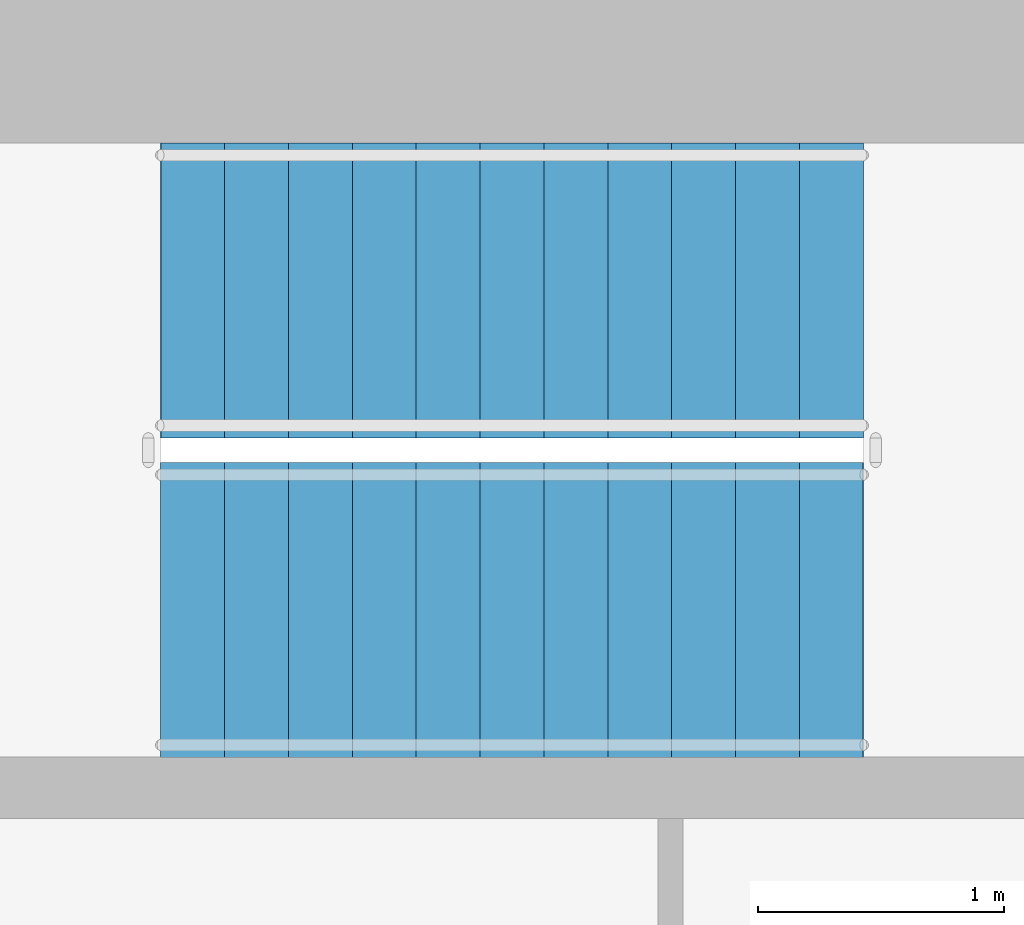
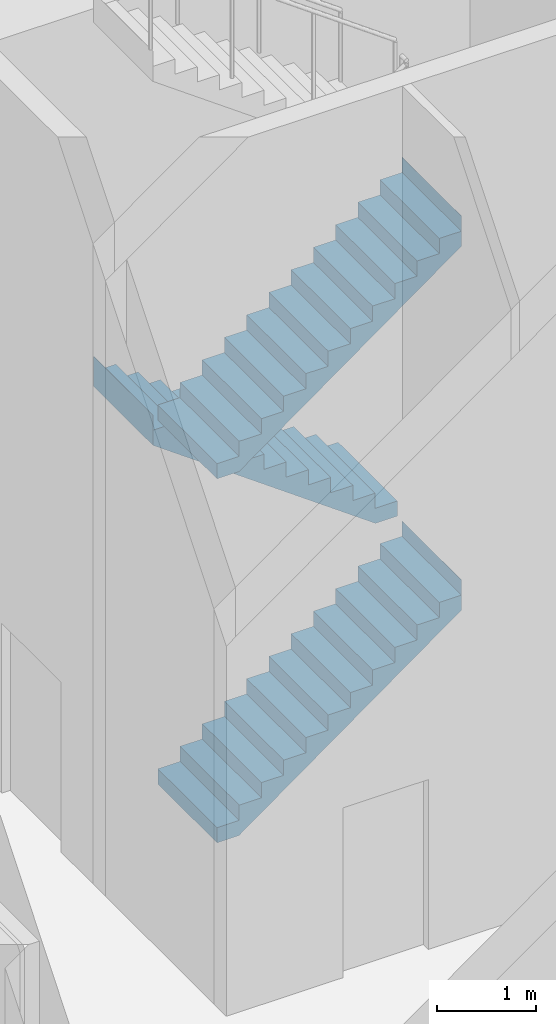
# One storey, part 19 of 35: 3 stair flights, 1 element without a shape of its own.
"""IFC4 building model written with IfcOpenShell, lengths in metres."""

import ifcopenshell
import ifcopenshell.guid

model = None  # the IFC model being written
_history = None  # IfcOwnerHistory: only IFC2X3 demands one
_inside = {}  # id of a spatial element -> (the spatial element, [elements in it])
_under = {}  # id of a project, library or spatial element -> (it, [spatial elements below it])
_declared = {}  # id of a project -> (the project, [libraries it declares])
_typed = {}  # id of a type object -> (the type object, [elements of that type])
_made_of = {}  # id of a material, layer set ... -> (it, [elements and type objects made of it])


def new_model(schema):
    """Start an empty IFC model of exactly this schema.

    Asked for "IFC4X3", IfcOpenShell would pick the latest addendum, in which some entities
    have other attributes; the version numbers below select the first issue.
    IFC2X3 requires an IfcOwnerHistory on every rooted entity: one is made here for all.
    """
    global model, _history
    if schema == "IFC4X3":
        model = ifcopenshell.file(schema_version=(4, 3, 0, 0))
    else:
        model = ifcopenshell.file(schema=schema)
    _inside.clear()
    _under.clear()
    _declared.clear()
    _typed.clear()
    _made_of.clear()
    _history = None
    if model.schema == "IFC2X3":
        org = make("IfcOrganization", Name="unknown")
        user = make(
            "IfcPersonAndOrganization",
            ThePerson=make("IfcPerson", FamilyName="unknown"),
            TheOrganization=org,
        )
        app = make(
            "IfcApplication",
            ApplicationDeveloper=org,
            Version="unknown",
            ApplicationFullName="unknown",
            ApplicationIdentifier="unknown",
        )
        _history = make(
            "IfcOwnerHistory",
            OwningUser=user,
            OwningApplication=app,
            ChangeAction="ADDED",
            CreationDate=0,
        )
    return model


def make(cls, **values):
    """One entity of the class cls with the attributes given. An attribute that is None is left unset."""
    return model.create_entity(
        cls, **{name: value for name, value in values.items() if value is not None}
    )


def rooted(cls, **values):
    """An entity with a GlobalId (a new one), such as an element, a storey or a relation."""
    return make(cls, GlobalId=ifcopenshell.guid.new(), OwnerHistory=_history, **values)


def si_unit(unit_type, name, prefix=None):
    """IfcSIUnit, for example si_unit("LENGTHUNIT", "METRE", prefix="MILLI")."""
    return make("IfcSIUnit", UnitType=unit_type, Prefix=prefix, Name=name)


def assignment(units):
    """IfcUnitAssignment: the units of a project."""
    return None if units is None else make("IfcUnitAssignment", Units=units)


def point(xyz):
    """IfcCartesianPoint."""
    return None if xyz is None else make("IfcCartesianPoint", Coordinates=xyz)


def direction(xyz):
    """IfcDirection."""
    return None if xyz is None else make("IfcDirection", DirectionRatios=xyz)


def frame(location, z_axis=None, x_axis=None):
    """IfcAxis2Placement3D, a coordinate frame: its origin and axes. An axis left out is left unset."""
    return make(
        "IfcAxis2Placement3D",
        Location=point(location),
        Axis=direction(z_axis),
        RefDirection=direction(x_axis),
    )


def origin():
    """The frame at (0, 0, 0) with its axes left unset."""
    return frame((0.0, 0.0, 0.0))


def place(relative_to, where):
    """IfcLocalPlacement: puts the frame where relative to a parent placement (None: the world)."""
    return make(
        "IfcLocalPlacement", PlacementRelTo=relative_to, RelativePlacement=where
    )


def context(
    kind, dimensions, precision=None, world=None, true_north=None, identifier=None
):
    """IfcGeometricRepresentationContext, for example the 3D "Model" context."""
    return make(
        "IfcGeometricRepresentationContext",
        ContextIdentifier=identifier,
        ContextType=kind,
        CoordinateSpaceDimension=dimensions,
        Precision=precision,
        WorldCoordinateSystem=world,
        TrueNorth=true_north,
    )


def subcontext(parent, identifier, kind, view, scale=None):
    """IfcGeometricRepresentationSubContext, for example "Body" below "Model"."""
    return make(
        "IfcGeometricRepresentationSubContext",
        ContextIdentifier=identifier,
        ContextType=kind,
        ParentContext=parent,
        TargetScale=scale,
        TargetView=view,
    )


def project(units=None, contexts=None):
    """IfcProject with its units and contexts."""
    return rooted(
        "IfcProject",
        Name="project",
        RepresentationContexts=contexts,
        UnitsInContext=assignment(units),
    )


def spatial(cls, under=None, at=None, **own):
    """A site, building, storey or space (cls), placed at a placement, below another one or the project."""
    s = rooted(cls, ObjectPlacement=at, **own)
    if under is not None:
        _under.setdefault(under.id(), (under, []))[1].append(s)
    return s


def point_list(points):
    """IfcCartesianPointList2D or 3D."""
    cls = (
        "IfcCartesianPointList2D" if len(points[0]) == 2 else "IfcCartesianPointList3D"
    )
    return make(cls, CoordList=points)


def triangles(points, corners, closed=None, point_numbers=None):
    """IfcTriangulatedFaceSet: each triangle names its three corners, points numbered from 1."""
    return make(
        "IfcTriangulatedFaceSet",
        Coordinates=point_list(points),
        Closed=closed,
        CoordIndex=corners,
        PnIndex=point_numbers,
    )


def shape(context_of_items, identifier, shape_type, items):
    """IfcShapeRepresentation: the items that make up one representation, for example the "Body"."""
    return make(
        "IfcShapeRepresentation",
        ContextOfItems=context_of_items,
        RepresentationIdentifier=identifier,
        RepresentationType=shape_type,
        Items=items,
    )


def material(Name=None, Category=None):
    """IfcMaterial."""
    return make("IfcMaterial", Name=Name, Category=Category)


def made_of(thing, what):
    """Note that an element or type object is made of a material, layer set ...; save() writes the relation."""
    if what is not None:
        _made_of.setdefault(what.id(), (what, []))[1].append(thing)
    return thing


def type_object(cls, material=None, **own):
    """A type object (cls), such as IfcWallType, which elements share."""
    return made_of(rooted(cls, **own), material)


def element(
    cls,
    number,
    at=None,
    inside=None,
    cuts=None,
    type_object=None,
    material=None,
    context=None,
    identifier="Body",
    shape_type=None,
    held_by="IfcProductDefinitionShape",
    body=None,
    shapes=None,
    **own,
):
    """One element of the class cls, such as IfcWall. Its Tag is "e" and its number.

    at: its placement. inside: the storey or other place that contains it. cuts: it is an
    opening in that element (IfcRelVoidsElement). A single representation is given by context,
    identifier, shape_type and body (its items); several are given by shapes. held_by: the class
    of the entity that holds the representations. save() writes the other relations.
    """
    e = rooted(cls, Tag="e%d" % number, ObjectPlacement=at, **own)
    if body is not None:
        shapes = [shape(context, identifier, shape_type, body)]
    if shapes is not None:
        e.Representation = make(held_by, Representations=shapes)
    if inside is not None:
        _inside.setdefault(inside.id(), (inside, []))[1].append(e)
    if cuts is not None:
        rooted(
            "IfcRelVoidsElement", RelatingBuildingElement=cuts, RelatedOpeningElement=e
        )
    if type_object is not None:
        _typed.setdefault(type_object.id(), (type_object, []))[1].append(e)
    return made_of(e, material)


def aggregate(whole, parts):
    """IfcRelAggregates: a whole, such as a stair, and the parts it consists of."""
    return rooted("IfcRelAggregates", RelatingObject=whole, RelatedObjects=parts)


def save(model, path):
    """Write the relations noted so far, then the file.

    IfcRelAggregates (storeys below a building ...), IfcRelContainedInSpatialStructure (elements
    in a storey), IfcRelDefinesByType, IfcRelAssociatesMaterial and IfcRelDeclares: one each for
    every whole, place, type object, material and project.
    """
    for whole, parts in _under.values():
        aggregate(whole, parts)
    for where, things in _inside.values():
        rooted(
            "IfcRelContainedInSpatialStructure",
            RelatedElements=things,
            RelatingStructure=where,
        )
    for kind, things in _typed.values():
        rooted("IfcRelDefinesByType", RelatedObjects=things, RelatingType=kind)
    for what, things in _made_of.values():
        rooted("IfcRelAssociatesMaterial", RelatedObjects=things, RelatingMaterial=what)
    for by, libraries in _declared.values():
        rooted("IfcRelDeclares", RelatingContext=by, RelatedDefinitions=libraries)
    model.write(path)


model = new_model("IFC4")

# Units and contexts
model_context = context("Model", 3, precision=1e-05, world=origin(), true_north=direction((0.0, 1.0)))
body_context = subcontext(model_context, "Body", "Model", "MODEL_VIEW")
ifc_project = project(units=[si_unit("LENGTHUNIT", "METRE"), si_unit("AREAUNIT", "SQUARE_METRE"), si_unit("VOLUMEUNIT", "CUBIC_METRE"), si_unit("PLANEANGLEUNIT", "RADIAN"), si_unit("MASSUNIT", "GRAM", prefix="KILO")], contexts=[model_context])

# Site, building, storey
site_placement = place(None, origin())
site = spatial("IfcSite", under=ifc_project, at=site_placement, CompositionType="ELEMENT")
building_placement = place(site_placement, origin())
building = spatial("IfcBuilding", under=site, at=building_placement, Name="Sahrelin Media Tower", CompositionType="ELEMENT")
storey_placement = place(building_placement, frame((0.0, 0.0, 8.0)))
storey = spatial("IfcBuildingStorey", under=building, at=storey_placement, Name="L01", CompositionType="ELEMENT", Elevation=8.0)

# Stair, stair flights
ifc_material = material(Name="Concrete C40/50", Category="concrete")
stair_type = type_object("IfcStairType", Name="Exit stair 1200", PredefinedType="HALF_TURN_STAIR", material=ifc_material)
stair_placement = place(storey_placement, origin())
stair = element("IfcStair", 1, at=stair_placement, inside=storey, type_object=stair_type, Name="L01 Exit stair ST1", PredefinedType="HALF_TURN_STAIR")
stair_flight_type = type_object("IfcStairFlightType", Name="Stair flight 1200", PredefinedType="STRAIGHT", material=ifc_material)
stair_flight_1_placement = place(storey_placement, frame((-7.675048828125, 4.699951171875, 0.0), z_axis=(0.0, 0.0, 1.0), x_axis=(1.0, 0.0, 0.0)))
stair_flight_1 = element("IfcStairFlight", 2, at=stair_flight_1_placement, type_object=stair_flight_type, Name="ST1 flight 1", NumberOfRisers=12, NumberOfTreads=11, PredefinedType="STRAIGHT", RiserHeight=0.1875, TreadLength=0.26, context=body_context, shape_type="Tessellation", body=[
    triangles([(0.25634765625, 0.60009765625, 0.0), (0.25634765625, 0.300048828125, 0.0), (0.25634765625, 0.0, 0.0), (0.25634765625, -0.300048828125, 0.0), (0.25634765625, -0.60009765625, 0.0), (2.860107421875, 0.60009765625, 1.877685546875), (2.860107421875, 0.300048828125, 1.877685546875), (2.860107421875, 0.0, 1.877685546875), (2.860107421875, -0.300048828125, 1.877685546875), (2.860107421875, -0.60009765625, 1.877685546875), (2.860107421875, 0.60009765625, 2.25), (2.860107421875, 0.300048828125, 2.25), (2.860107421875, 0.0, 2.25), (2.860107421875, -0.300048828125, 2.25), (2.860107421875, -0.60009765625, 2.25), (2.85791015625, 0.60009765625, 2.25), (2.85791015625, 0.300048828125, 2.25), (2.85791015625, 0.0, 2.25), (2.85791015625, -0.300048828125, 2.25), (2.85791015625, -0.60009765625, 2.25), (2.85791015625, 0.60009765625, 2.0625), (2.85791015625, 0.300048828125, 2.0625), (2.85791015625, 0.0, 2.0625), (2.85791015625, -0.300048828125, 2.0625), (2.85791015625, -0.60009765625, 2.0625), (2.60009765625, 0.60009765625, 2.0625), (2.60009765625, 0.300048828125, 2.0625), (2.60009765625, 0.0, 2.0625), (2.60009765625, -0.300048828125, 2.0625), (2.60009765625, -0.60009765625, 2.0625), (2.60009765625, 0.60009765625, 1.875), (2.60009765625, 0.300048828125, 1.875), (2.60009765625, 0.0, 1.875), (2.60009765625, -0.300048828125, 1.875), (2.60009765625, -0.60009765625, 1.875), (2.340087890625, 0.60009765625, 1.875), (2.340087890625, 0.300048828125, 1.875), (2.340087890625, 0.0, 1.875), (2.340087890625, -0.300048828125, 1.875), (2.340087890625, -0.60009765625, 1.875), (2.340087890625, 0.60009765625, 1.6875), (2.340087890625, 0.300048828125, 1.6875), (2.340087890625, 0.0, 1.6875), (2.340087890625, -0.300048828125, 1.6875), (2.340087890625, -0.60009765625, 1.6875), (2.080078125, 0.60009765625, 1.6875), (2.080078125, 0.300048828125, 1.6875), (2.080078125, 0.0, 1.6875), (2.080078125, -0.300048828125, 1.6875), (2.080078125, -0.60009765625, 1.6875), (2.080078125, 0.60009765625, 1.5), (2.080078125, 0.300048828125, 1.5), (2.080078125, 0.0, 1.5), (2.080078125, -0.300048828125, 1.5), (2.080078125, -0.60009765625, 1.5), (1.820068359375, 0.60009765625, 1.5), (1.820068359375, 0.300048828125, 1.5), (1.820068359375, 0.0, 1.5), (1.820068359375, -0.300048828125, 1.5), (1.820068359375, -0.60009765625, 1.5), (1.820068359375, 0.60009765625, 1.3125), (1.820068359375, 0.300048828125, 1.3125), (1.820068359375, 0.0, 1.3125), (1.820068359375, -0.300048828125, 1.3125), (1.820068359375, -0.60009765625, 1.3125), (1.56005859375, 0.60009765625, 1.3125), (1.56005859375, 0.300048828125, 1.3125), (1.56005859375, 0.0, 1.3125), (1.56005859375, -0.300048828125, 1.3125), (1.56005859375, -0.60009765625, 1.3125), (1.56005859375, 0.60009765625, 1.125), (1.56005859375, 0.300048828125, 1.125), (1.56005859375, 0.0, 1.125), (1.56005859375, -0.300048828125, 1.125), (1.56005859375, -0.60009765625, 1.125), (1.300048828125, 0.60009765625, 1.125), (1.300048828125, 0.300048828125, 1.125), (1.300048828125, 0.0, 1.125), (1.300048828125, -0.300048828125, 1.125), (1.300048828125, -0.60009765625, 1.125), (1.300048828125, 0.60009765625, 0.9375), (1.300048828125, 0.300048828125, 0.9375), (1.300048828125, 0.0, 0.9375), (1.300048828125, -0.300048828125, 0.9375), (1.300048828125, -0.60009765625, 0.9375), (1.0400390625, 0.60009765625, 0.9375), (1.0400390625, 0.300048828125, 0.9375), (1.0400390625, 0.0, 0.9375), (1.0400390625, -0.300048828125, 0.9375), (1.0400390625, -0.60009765625, 0.9375), (1.0400390625, 0.60009765625, 0.75), (1.0400390625, 0.300048828125, 0.75), (1.0400390625, 0.0, 0.75), (1.0400390625, -0.300048828125, 0.75), (1.0400390625, -0.60009765625, 0.75), (0.780029296875, 0.60009765625, 0.75), (0.780029296875, 0.300048828125, 0.75), (0.780029296875, 0.0, 0.75), (0.780029296875, -0.300048828125, 0.75), (0.780029296875, -0.60009765625, 0.75), (0.780029296875, 0.60009765625, 0.5625), (0.780029296875, 0.300048828125, 0.5625), (0.780029296875, 0.0, 0.5625), (0.780029296875, -0.300048828125, 0.5625), (0.780029296875, -0.60009765625, 0.5625), (0.52001953125, 0.60009765625, 0.5625), (0.52001953125, 0.300048828125, 0.5625), (0.52001953125, 0.0, 0.5625), (0.52001953125, -0.300048828125, 0.5625), (0.52001953125, -0.60009765625, 0.5625), (0.52001953125, 0.60009765625, 0.375), (0.52001953125, 0.300048828125, 0.375), (0.52001953125, 0.0, 0.375), (0.52001953125, -0.300048828125, 0.375), (0.52001953125, -0.60009765625, 0.375), (0.260009765625, 0.60009765625, 0.375), (0.260009765625, 0.300048828125, 0.375), (0.260009765625, 0.0, 0.375), (0.260009765625, -0.300048828125, 0.375), (0.260009765625, -0.60009765625, 0.375), (0.260009765625, 0.60009765625, 0.1875), (0.260009765625, 0.300048828125, 0.1875), (0.260009765625, 0.0, 0.1875), (0.260009765625, -0.300048828125, 0.1875), (0.260009765625, -0.60009765625, 0.1875), (0.0, 0.60009765625, 0.1875), (0.0, 0.300048828125, 0.1875), (0.0, 0.0, 0.1875), (0.0, -0.300048828125, 0.1875), (0.0, -0.60009765625, 0.1875), (0.0, 0.60009765625, 0.0), (0.0, 0.300048828125, 0.0), (0.0, 0.0, 0.0), (0.0, -0.300048828125, 0.0), (0.0, -0.60009765625, 0.0)], [[1, 6, 7], [1, 7, 2], [2, 7, 8], [2, 8, 3], [3, 8, 9], [3, 9, 4], [4, 9, 10], [4, 10, 5], [6, 11, 12], [6, 12, 7], [7, 12, 13], [7, 13, 8], [8, 13, 14], [8, 14, 9], [9, 14, 15], [9, 15, 10], [11, 16, 17], [11, 17, 12], [12, 17, 18], [12, 18, 13], [13, 18, 19], [13, 19, 14], [14, 19, 20], [14, 20, 15], [16, 21, 22], [16, 22, 17], [17, 22, 23], [17, 23, 18], [18, 23, 24], [18, 24, 19], [19, 24, 25], [19, 25, 20], [21, 26, 27], [21, 27, 22], [22, 27, 28], [22, 28, 23], [23, 28, 29], [23, 29, 24], [24, 29, 30], [24, 30, 25], [26, 31, 32], [26, 32, 27], [27, 32, 33], [27, 33, 28], [28, 33, 34], [28, 34, 29], [29, 34, 35], [29, 35, 30], [31, 36, 37], [31, 37, 32], [32, 37, 38], [32, 38, 33], [33, 38, 39], [33, 39, 34], [34, 39, 40], [34, 40, 35], [36, 41, 42], [36, 42, 37], [37, 42, 43], [37, 43, 38], [38, 43, 44], [38, 44, 39], [39, 44, 45], [39, 45, 40], [41, 46, 47], [41, 47, 42], [42, 47, 48], [42, 48, 43], [43, 48, 49], [43, 49, 44], [44, 49, 50], [44, 50, 45], [46, 51, 52], [46, 52, 47], [47, 52, 53], [47, 53, 48], [48, 53, 54], [48, 54, 49], [49, 54, 55], [49, 55, 50], [51, 56, 57], [51, 57, 52], [52, 57, 58], [52, 58, 53], [53, 58, 59], [53, 59, 54], [54, 59, 60], [54, 60, 55], [56, 61, 62], [56, 62, 57], [57, 62, 63], [57, 63, 58], [58, 63, 64], [58, 64, 59], [59, 64, 65], [59, 65, 60], [61, 66, 67], [61, 67, 62], [62, 67, 68], [62, 68, 63], [63, 68, 69], [63, 69, 64], [64, 69, 70], [64, 70, 65], [66, 71, 72], [66, 72, 67], [67, 72, 73], [67, 73, 68], [68, 73, 74], [68, 74, 69], [69, 74, 75], [69, 75, 70], [71, 76, 77], [71, 77, 72], [72, 77, 78], [72, 78, 73], [73, 78, 79], [73, 79, 74], [74, 79, 80], [74, 80, 75], [76, 81, 82], [76, 82, 77], [77, 82, 83], [77, 83, 78], [78, 83, 84], [78, 84, 79], [79, 84, 85], [79, 85, 80], [81, 86, 87], [81, 87, 82], [82, 87, 88], [82, 88, 83], [83, 88, 89], [83, 89, 84], [84, 89, 90], [84, 90, 85], [86, 91, 92], [86, 92, 87], [87, 92, 93], [87, 93, 88], [88, 93, 94], [88, 94, 89], [89, 94, 95], [89, 95, 90], [91, 96, 97], [91, 97, 92], [92, 97, 98], [92, 98, 93], [93, 98, 99], [93, 99, 94], [94, 99, 100], [94, 100, 95], [96, 101, 102], [96, 102, 97], [97, 102, 103], [97, 103, 98], [98, 103, 104], [98, 104, 99], [99, 104, 105], [99, 105, 100], [101, 106, 107], [101, 107, 102], [102, 107, 108], [102, 108, 103], [103, 108, 109], [103, 109, 104], [104, 109, 110], [104, 110, 105], [106, 111, 112], [106, 112, 107], [107, 112, 113], [107, 113, 108], [108, 113, 114], [108, 114, 109], [109, 114, 115], [109, 115, 110], [111, 116, 117], [111, 117, 112], [112, 117, 118], [112, 118, 113], [113, 118, 119], [113, 119, 114], [114, 119, 120], [114, 120, 115], [116, 121, 122], [116, 122, 117], [117, 122, 123], [117, 123, 118], [118, 123, 124], [118, 124, 119], [119, 124, 125], [119, 125, 120], [121, 126, 127], [121, 127, 122], [122, 127, 128], [122, 128, 123], [123, 128, 129], [123, 129, 124], [124, 129, 130], [124, 130, 125], [126, 131, 132], [126, 132, 127], [127, 132, 133], [127, 133, 128], [128, 133, 134], [128, 134, 129], [129, 134, 135], [129, 135, 130], [131, 1, 2], [131, 2, 132], [132, 2, 3], [132, 3, 133], [133, 3, 4], [133, 4, 134], [134, 4, 5], [134, 5, 135], [5, 130, 135], [1, 131, 126], [125, 115, 120], [121, 116, 111], [115, 105, 110], [111, 106, 101], [105, 95, 100], [101, 96, 91], [95, 85, 90], [91, 86, 81], [85, 75, 80], [81, 76, 71], [75, 65, 70], [71, 66, 61], [65, 55, 60], [61, 56, 51], [55, 45, 50], [51, 46, 41], [45, 35, 40], [41, 36, 31], [35, 25, 30], [31, 26, 21], [25, 15, 20], [21, 16, 11], [5, 125, 130], [1, 126, 121], [10, 35, 45], [6, 41, 31], [25, 10, 15], [21, 11, 6], [115, 125, 5], [111, 1, 121], [35, 10, 25], [31, 21, 6], [105, 115, 5], [101, 1, 111], [45, 55, 10], [41, 6, 51], [95, 105, 5], [91, 1, 101], [65, 10, 55], [61, 51, 6], [85, 95, 5], [81, 1, 91], [75, 10, 65], [71, 61, 6], [75, 85, 5], [71, 1, 81], [5, 10, 75], [1, 71, 6]], closed=True),
])
stair_flight_2_placement = place(storey_placement, frame((-4.81494140625, 6.0, 2.25), z_axis=(0.0, 0.0, 1.0), x_axis=(-1.0, 0.0, 0.0)))
stair_flight_2 = element("IfcStairFlight", 3, at=stair_flight_2_placement, type_object=stair_flight_type, Name="ST1 flight 2", NumberOfRisers=12, NumberOfTreads=11, PredefinedType="STRAIGHT", RiserHeight=0.1875, TreadLength=0.26, context=body_context, shape_type="Tessellation", body=[
    triangles([(0.25634765625, 0.60009765625, 0.0), (0.25634765625, 0.300048828125, 0.0), (0.25634765625, 0.0, 0.0), (0.25634765625, -0.300048828125, 0.0), (0.25634765625, -0.60009765625, 0.0), (2.860107421875, 0.60009765625, 1.877685546875), (2.860107421875, 0.300048828125, 1.877685546875), (2.860107421875, 0.0, 1.877685546875), (2.860107421875, -0.300048828125, 1.877685546875), (2.860107421875, -0.60009765625, 1.877685546875), (2.860107421875, 0.60009765625, 2.25), (2.860107421875, 0.300048828125, 2.25), (2.860107421875, 0.0, 2.25), (2.860107421875, -0.300048828125, 2.25), (2.860107421875, -0.60009765625, 2.25), (2.85791015625, 0.60009765625, 2.25), (2.85791015625, 0.300048828125, 2.25), (2.85791015625, 0.0, 2.25), (2.85791015625, -0.300048828125, 2.25), (2.85791015625, -0.60009765625, 2.25), (2.85791015625, 0.60009765625, 2.0625), (2.85791015625, 0.300048828125, 2.0625), (2.85791015625, 0.0, 2.0625), (2.85791015625, -0.300048828125, 2.0625), (2.85791015625, -0.60009765625, 2.0625), (2.60009765625, 0.60009765625, 2.0625), (2.60009765625, 0.300048828125, 2.0625), (2.60009765625, 0.0, 2.0625), (2.60009765625, -0.300048828125, 2.0625), (2.60009765625, -0.60009765625, 2.0625), (2.60009765625, 0.60009765625, 1.875), (2.60009765625, 0.300048828125, 1.875), (2.60009765625, 0.0, 1.875), (2.60009765625, -0.300048828125, 1.875), (2.60009765625, -0.60009765625, 1.875), (2.340087890625, 0.60009765625, 1.875), (2.340087890625, 0.300048828125, 1.875), (2.340087890625, 0.0, 1.875), (2.340087890625, -0.300048828125, 1.875), (2.340087890625, -0.60009765625, 1.875), (2.340087890625, 0.60009765625, 1.6875), (2.340087890625, 0.300048828125, 1.6875), (2.340087890625, 0.0, 1.6875), (2.340087890625, -0.300048828125, 1.6875), (2.340087890625, -0.60009765625, 1.6875), (2.080078125, 0.60009765625, 1.6875), (2.080078125, 0.300048828125, 1.6875), (2.080078125, 0.0, 1.6875), (2.080078125, -0.300048828125, 1.6875), (2.080078125, -0.60009765625, 1.6875), (2.080078125, 0.60009765625, 1.5), (2.080078125, 0.300048828125, 1.5), (2.080078125, 0.0, 1.5), (2.080078125, -0.300048828125, 1.5), (2.080078125, -0.60009765625, 1.5), (1.820068359375, 0.60009765625, 1.5), (1.820068359375, 0.300048828125, 1.5), (1.820068359375, 0.0, 1.5), (1.820068359375, -0.300048828125, 1.5), (1.820068359375, -0.60009765625, 1.5), (1.820068359375, 0.60009765625, 1.3125), (1.820068359375, 0.300048828125, 1.3125), (1.820068359375, 0.0, 1.3125), (1.820068359375, -0.300048828125, 1.3125), (1.820068359375, -0.60009765625, 1.3125), (1.56005859375, 0.60009765625, 1.3125), (1.56005859375, 0.300048828125, 1.3125), (1.56005859375, 0.0, 1.3125), (1.56005859375, -0.300048828125, 1.3125), (1.56005859375, -0.60009765625, 1.3125), (1.56005859375, 0.60009765625, 1.125), (1.56005859375, 0.300048828125, 1.125), (1.56005859375, 0.0, 1.125), (1.56005859375, -0.300048828125, 1.125), (1.56005859375, -0.60009765625, 1.125), (1.300048828125, 0.60009765625, 1.125), (1.300048828125, 0.300048828125, 1.125), (1.300048828125, 0.0, 1.125), (1.300048828125, -0.300048828125, 1.125), (1.300048828125, -0.60009765625, 1.125), (1.300048828125, 0.60009765625, 0.9375), (1.300048828125, 0.300048828125, 0.9375), (1.300048828125, 0.0, 0.9375), (1.300048828125, -0.300048828125, 0.9375), (1.300048828125, -0.60009765625, 0.9375), (1.0400390625, 0.60009765625, 0.9375), (1.0400390625, 0.300048828125, 0.9375), (1.0400390625, 0.0, 0.9375), (1.0400390625, -0.300048828125, 0.9375), (1.0400390625, -0.60009765625, 0.9375), (1.0400390625, 0.60009765625, 0.75), (1.0400390625, 0.300048828125, 0.75), (1.0400390625, 0.0, 0.75), (1.0400390625, -0.300048828125, 0.75), (1.0400390625, -0.60009765625, 0.75), (0.780029296875, 0.60009765625, 0.75), (0.780029296875, 0.300048828125, 0.75), (0.780029296875, 0.0, 0.75), (0.780029296875, -0.300048828125, 0.75), (0.780029296875, -0.60009765625, 0.75), (0.780029296875, 0.60009765625, 0.5625), (0.780029296875, 0.300048828125, 0.5625), (0.780029296875, 0.0, 0.5625), (0.780029296875, -0.300048828125, 0.5625), (0.780029296875, -0.60009765625, 0.5625), (0.52001953125, 0.60009765625, 0.5625), (0.52001953125, 0.300048828125, 0.5625), (0.52001953125, 0.0, 0.5625), (0.52001953125, -0.300048828125, 0.5625), (0.52001953125, -0.60009765625, 0.5625), (0.52001953125, 0.60009765625, 0.375), (0.52001953125, 0.300048828125, 0.375), (0.52001953125, 0.0, 0.375), (0.52001953125, -0.300048828125, 0.375), (0.52001953125, -0.60009765625, 0.375), (0.260009765625, 0.60009765625, 0.375), (0.260009765625, 0.300048828125, 0.375), (0.260009765625, 0.0, 0.375), (0.260009765625, -0.300048828125, 0.375), (0.260009765625, -0.60009765625, 0.375), (0.260009765625, 0.60009765625, 0.1875), (0.260009765625, 0.300048828125, 0.1875), (0.260009765625, 0.0, 0.1875), (0.260009765625, -0.300048828125, 0.1875), (0.260009765625, -0.60009765625, 0.1875), (0.0, 0.60009765625, 0.1875), (0.0, 0.300048828125, 0.1875), (0.0, 0.0, 0.1875), (0.0, -0.300048828125, 0.1875), (0.0, -0.60009765625, 0.1875), (0.0, 0.60009765625, 0.0), (0.0, 0.300048828125, 0.0), (0.0, 0.0, 0.0), (0.0, -0.300048828125, 0.0), (0.0, -0.60009765625, 0.0)], [[1, 6, 7], [1, 7, 2], [2, 7, 8], [2, 8, 3], [3, 8, 9], [3, 9, 4], [4, 9, 10], [4, 10, 5], [6, 11, 12], [6, 12, 7], [7, 12, 13], [7, 13, 8], [8, 13, 14], [8, 14, 9], [9, 14, 15], [9, 15, 10], [11, 16, 17], [11, 17, 12], [12, 17, 18], [12, 18, 13], [13, 18, 19], [13, 19, 14], [14, 19, 20], [14, 20, 15], [16, 21, 22], [16, 22, 17], [17, 22, 23], [17, 23, 18], [18, 23, 24], [18, 24, 19], [19, 24, 25], [19, 25, 20], [21, 26, 27], [21, 27, 22], [22, 27, 28], [22, 28, 23], [23, 28, 29], [23, 29, 24], [24, 29, 30], [24, 30, 25], [26, 31, 32], [26, 32, 27], [27, 32, 33], [27, 33, 28], [28, 33, 34], [28, 34, 29], [29, 34, 35], [29, 35, 30], [31, 36, 37], [31, 37, 32], [32, 37, 38], [32, 38, 33], [33, 38, 39], [33, 39, 34], [34, 39, 40], [34, 40, 35], [36, 41, 42], [36, 42, 37], [37, 42, 43], [37, 43, 38], [38, 43, 44], [38, 44, 39], [39, 44, 45], [39, 45, 40], [41, 46, 47], [41, 47, 42], [42, 47, 48], [42, 48, 43], [43, 48, 49], [43, 49, 44], [44, 49, 50], [44, 50, 45], [46, 51, 52], [46, 52, 47], [47, 52, 53], [47, 53, 48], [48, 53, 54], [48, 54, 49], [49, 54, 55], [49, 55, 50], [51, 56, 57], [51, 57, 52], [52, 57, 58], [52, 58, 53], [53, 58, 59], [53, 59, 54], [54, 59, 60], [54, 60, 55], [56, 61, 62], [56, 62, 57], [57, 62, 63], [57, 63, 58], [58, 63, 64], [58, 64, 59], [59, 64, 65], [59, 65, 60], [61, 66, 67], [61, 67, 62], [62, 67, 68], [62, 68, 63], [63, 68, 69], [63, 69, 64], [64, 69, 70], [64, 70, 65], [66, 71, 72], [66, 72, 67], [67, 72, 73], [67, 73, 68], [68, 73, 74], [68, 74, 69], [69, 74, 75], [69, 75, 70], [71, 76, 77], [71, 77, 72], [72, 77, 78], [72, 78, 73], [73, 78, 79], [73, 79, 74], [74, 79, 80], [74, 80, 75], [76, 81, 82], [76, 82, 77], [77, 82, 83], [77, 83, 78], [78, 83, 84], [78, 84, 79], [79, 84, 85], [79, 85, 80], [81, 86, 87], [81, 87, 82], [82, 87, 88], [82, 88, 83], [83, 88, 89], [83, 89, 84], [84, 89, 90], [84, 90, 85], [86, 91, 92], [86, 92, 87], [87, 92, 93], [87, 93, 88], [88, 93, 94], [88, 94, 89], [89, 94, 95], [89, 95, 90], [91, 96, 97], [91, 97, 92], [92, 97, 98], [92, 98, 93], [93, 98, 99], [93, 99, 94], [94, 99, 100], [94, 100, 95], [96, 101, 102], [96, 102, 97], [97, 102, 103], [97, 103, 98], [98, 103, 104], [98, 104, 99], [99, 104, 105], [99, 105, 100], [101, 106, 107], [101, 107, 102], [102, 107, 108], [102, 108, 103], [103, 108, 109], [103, 109, 104], [104, 109, 110], [104, 110, 105], [106, 111, 112], [106, 112, 107], [107, 112, 113], [107, 113, 108], [108, 113, 114], [108, 114, 109], [109, 114, 115], [109, 115, 110], [111, 116, 117], [111, 117, 112], [112, 117, 118], [112, 118, 113], [113, 118, 119], [113, 119, 114], [114, 119, 120], [114, 120, 115], [116, 121, 122], [116, 122, 117], [117, 122, 123], [117, 123, 118], [118, 123, 124], [118, 124, 119], [119, 124, 125], [119, 125, 120], [121, 126, 127], [121, 127, 122], [122, 127, 128], [122, 128, 123], [123, 128, 129], [123, 129, 124], [124, 129, 130], [124, 130, 125], [126, 131, 132], [126, 132, 127], [127, 132, 133], [127, 133, 128], [128, 133, 134], [128, 134, 129], [129, 134, 135], [129, 135, 130], [131, 1, 2], [131, 2, 132], [132, 2, 3], [132, 3, 133], [133, 3, 4], [133, 4, 134], [134, 4, 5], [134, 5, 135], [5, 130, 135], [1, 131, 126], [125, 115, 120], [121, 116, 111], [115, 105, 110], [111, 106, 101], [105, 95, 100], [101, 96, 91], [95, 85, 90], [91, 86, 81], [85, 75, 80], [81, 76, 71], [75, 65, 70], [71, 66, 61], [65, 55, 60], [61, 56, 51], [55, 45, 50], [51, 46, 41], [45, 35, 40], [41, 36, 31], [35, 25, 30], [31, 26, 21], [25, 15, 20], [21, 16, 11], [5, 125, 130], [1, 126, 121], [10, 35, 45], [6, 41, 31], [25, 10, 15], [21, 11, 6], [115, 125, 5], [111, 1, 121], [35, 10, 25], [31, 21, 6], [105, 115, 5], [101, 1, 111], [45, 55, 10], [41, 6, 51], [95, 105, 5], [91, 1, 101], [65, 10, 55], [61, 51, 6], [85, 95, 5], [81, 1, 91], [75, 10, 65], [71, 61, 6], [75, 85, 5], [71, 1, 81], [5, 10, 75], [1, 71, 6]], closed=True),
])
stair_flight_3_placement = place(storey_placement, frame((-7.675048828125, 4.699951171875, 4.5), z_axis=(0.0, 0.0, 1.0), x_axis=(1.0, 0.0, 0.0)))
stair_flight_3 = element("IfcStairFlight", 4, at=stair_flight_3_placement, type_object=stair_flight_type, Name="ST1 flight 3", NumberOfRisers=12, NumberOfTreads=11, PredefinedType="STRAIGHT", RiserHeight=0.1875, TreadLength=0.26, context=body_context, shape_type="Tessellation", body=[
    triangles([(0.25634765625, 0.60009765625, 0.0), (0.25634765625, 0.300048828125, 0.0), (0.25634765625, 0.0, 0.0), (0.25634765625, -0.300048828125, 0.0), (0.25634765625, -0.60009765625, 0.0), (2.860107421875, 0.60009765625, 1.877685546875), (2.860107421875, 0.300048828125, 1.877685546875), (2.860107421875, 0.0, 1.877685546875), (2.860107421875, -0.300048828125, 1.877685546875), (2.860107421875, -0.60009765625, 1.877685546875), (2.860107421875, 0.60009765625, 2.25), (2.860107421875, 0.300048828125, 2.25), (2.860107421875, 0.0, 2.25), (2.860107421875, -0.300048828125, 2.25), (2.860107421875, -0.60009765625, 2.25), (2.85791015625, 0.60009765625, 2.25), (2.85791015625, 0.300048828125, 2.25), (2.85791015625, 0.0, 2.25), (2.85791015625, -0.300048828125, 2.25), (2.85791015625, -0.60009765625, 2.25), (2.85791015625, 0.60009765625, 2.0625), (2.85791015625, 0.300048828125, 2.0625), (2.85791015625, 0.0, 2.0625), (2.85791015625, -0.300048828125, 2.0625), (2.85791015625, -0.60009765625, 2.0625), (2.60009765625, 0.60009765625, 2.0625), (2.60009765625, 0.300048828125, 2.0625), (2.60009765625, 0.0, 2.0625), (2.60009765625, -0.300048828125, 2.0625), (2.60009765625, -0.60009765625, 2.0625), (2.60009765625, 0.60009765625, 1.875), (2.60009765625, 0.300048828125, 1.875), (2.60009765625, 0.0, 1.875), (2.60009765625, -0.300048828125, 1.875), (2.60009765625, -0.60009765625, 1.875), (2.340087890625, 0.60009765625, 1.875), (2.340087890625, 0.300048828125, 1.875), (2.340087890625, 0.0, 1.875), (2.340087890625, -0.300048828125, 1.875), (2.340087890625, -0.60009765625, 1.875), (2.340087890625, 0.60009765625, 1.6875), (2.340087890625, 0.300048828125, 1.6875), (2.340087890625, 0.0, 1.6875), (2.340087890625, -0.300048828125, 1.6875), (2.340087890625, -0.60009765625, 1.6875), (2.080078125, 0.60009765625, 1.6875), (2.080078125, 0.300048828125, 1.6875), (2.080078125, 0.0, 1.6875), (2.080078125, -0.300048828125, 1.6875), (2.080078125, -0.60009765625, 1.6875), (2.080078125, 0.60009765625, 1.5), (2.080078125, 0.300048828125, 1.5), (2.080078125, 0.0, 1.5), (2.080078125, -0.300048828125, 1.5), (2.080078125, -0.60009765625, 1.5), (1.820068359375, 0.60009765625, 1.5), (1.820068359375, 0.300048828125, 1.5), (1.820068359375, 0.0, 1.5), (1.820068359375, -0.300048828125, 1.5), (1.820068359375, -0.60009765625, 1.5), (1.820068359375, 0.60009765625, 1.3125), (1.820068359375, 0.300048828125, 1.3125), (1.820068359375, 0.0, 1.3125), (1.820068359375, -0.300048828125, 1.3125), (1.820068359375, -0.60009765625, 1.3125), (1.56005859375, 0.60009765625, 1.3125), (1.56005859375, 0.300048828125, 1.3125), (1.56005859375, 0.0, 1.3125), (1.56005859375, -0.300048828125, 1.3125), (1.56005859375, -0.60009765625, 1.3125), (1.56005859375, 0.60009765625, 1.125), (1.56005859375, 0.300048828125, 1.125), (1.56005859375, 0.0, 1.125), (1.56005859375, -0.300048828125, 1.125), (1.56005859375, -0.60009765625, 1.125), (1.300048828125, 0.60009765625, 1.125), (1.300048828125, 0.300048828125, 1.125), (1.300048828125, 0.0, 1.125), (1.300048828125, -0.300048828125, 1.125), (1.300048828125, -0.60009765625, 1.125), (1.300048828125, 0.60009765625, 0.9375), (1.300048828125, 0.300048828125, 0.9375), (1.300048828125, 0.0, 0.9375), (1.300048828125, -0.300048828125, 0.9375), (1.300048828125, -0.60009765625, 0.9375), (1.0400390625, 0.60009765625, 0.9375), (1.0400390625, 0.300048828125, 0.9375), (1.0400390625, 0.0, 0.9375), (1.0400390625, -0.300048828125, 0.9375), (1.0400390625, -0.60009765625, 0.9375), (1.0400390625, 0.60009765625, 0.75), (1.0400390625, 0.300048828125, 0.75), (1.0400390625, 0.0, 0.75), (1.0400390625, -0.300048828125, 0.75), (1.0400390625, -0.60009765625, 0.75), (0.780029296875, 0.60009765625, 0.75), (0.780029296875, 0.300048828125, 0.75), (0.780029296875, 0.0, 0.75), (0.780029296875, -0.300048828125, 0.75), (0.780029296875, -0.60009765625, 0.75), (0.780029296875, 0.60009765625, 0.5625), (0.780029296875, 0.300048828125, 0.5625), (0.780029296875, 0.0, 0.5625), (0.780029296875, -0.300048828125, 0.5625), (0.780029296875, -0.60009765625, 0.5625), (0.52001953125, 0.60009765625, 0.5625), (0.52001953125, 0.300048828125, 0.5625), (0.52001953125, 0.0, 0.5625), (0.52001953125, -0.300048828125, 0.5625), (0.52001953125, -0.60009765625, 0.5625), (0.52001953125, 0.60009765625, 0.375), (0.52001953125, 0.300048828125, 0.375), (0.52001953125, 0.0, 0.375), (0.52001953125, -0.300048828125, 0.375), (0.52001953125, -0.60009765625, 0.375), (0.260009765625, 0.60009765625, 0.375), (0.260009765625, 0.300048828125, 0.375), (0.260009765625, 0.0, 0.375), (0.260009765625, -0.300048828125, 0.375), (0.260009765625, -0.60009765625, 0.375), (0.260009765625, 0.60009765625, 0.1875), (0.260009765625, 0.300048828125, 0.1875), (0.260009765625, 0.0, 0.1875), (0.260009765625, -0.300048828125, 0.1875), (0.260009765625, -0.60009765625, 0.1875), (0.0, 0.60009765625, 0.1875), (0.0, 0.300048828125, 0.1875), (0.0, 0.0, 0.1875), (0.0, -0.300048828125, 0.1875), (0.0, -0.60009765625, 0.1875), (0.0, 0.60009765625, 0.0), (0.0, 0.300048828125, 0.0), (0.0, 0.0, 0.0), (0.0, -0.300048828125, 0.0), (0.0, -0.60009765625, 0.0)], [[1, 6, 7], [1, 7, 2], [2, 7, 8], [2, 8, 3], [3, 8, 9], [3, 9, 4], [4, 9, 10], [4, 10, 5], [6, 11, 12], [6, 12, 7], [7, 12, 13], [7, 13, 8], [8, 13, 14], [8, 14, 9], [9, 14, 15], [9, 15, 10], [11, 16, 17], [11, 17, 12], [12, 17, 18], [12, 18, 13], [13, 18, 19], [13, 19, 14], [14, 19, 20], [14, 20, 15], [16, 21, 22], [16, 22, 17], [17, 22, 23], [17, 23, 18], [18, 23, 24], [18, 24, 19], [19, 24, 25], [19, 25, 20], [21, 26, 27], [21, 27, 22], [22, 27, 28], [22, 28, 23], [23, 28, 29], [23, 29, 24], [24, 29, 30], [24, 30, 25], [26, 31, 32], [26, 32, 27], [27, 32, 33], [27, 33, 28], [28, 33, 34], [28, 34, 29], [29, 34, 35], [29, 35, 30], [31, 36, 37], [31, 37, 32], [32, 37, 38], [32, 38, 33], [33, 38, 39], [33, 39, 34], [34, 39, 40], [34, 40, 35], [36, 41, 42], [36, 42, 37], [37, 42, 43], [37, 43, 38], [38, 43, 44], [38, 44, 39], [39, 44, 45], [39, 45, 40], [41, 46, 47], [41, 47, 42], [42, 47, 48], [42, 48, 43], [43, 48, 49], [43, 49, 44], [44, 49, 50], [44, 50, 45], [46, 51, 52], [46, 52, 47], [47, 52, 53], [47, 53, 48], [48, 53, 54], [48, 54, 49], [49, 54, 55], [49, 55, 50], [51, 56, 57], [51, 57, 52], [52, 57, 58], [52, 58, 53], [53, 58, 59], [53, 59, 54], [54, 59, 60], [54, 60, 55], [56, 61, 62], [56, 62, 57], [57, 62, 63], [57, 63, 58], [58, 63, 64], [58, 64, 59], [59, 64, 65], [59, 65, 60], [61, 66, 67], [61, 67, 62], [62, 67, 68], [62, 68, 63], [63, 68, 69], [63, 69, 64], [64, 69, 70], [64, 70, 65], [66, 71, 72], [66, 72, 67], [67, 72, 73], [67, 73, 68], [68, 73, 74], [68, 74, 69], [69, 74, 75], [69, 75, 70], [71, 76, 77], [71, 77, 72], [72, 77, 78], [72, 78, 73], [73, 78, 79], [73, 79, 74], [74, 79, 80], [74, 80, 75], [76, 81, 82], [76, 82, 77], [77, 82, 83], [77, 83, 78], [78, 83, 84], [78, 84, 79], [79, 84, 85], [79, 85, 80], [81, 86, 87], [81, 87, 82], [82, 87, 88], [82, 88, 83], [83, 88, 89], [83, 89, 84], [84, 89, 90], [84, 90, 85], [86, 91, 92], [86, 92, 87], [87, 92, 93], [87, 93, 88], [88, 93, 94], [88, 94, 89], [89, 94, 95], [89, 95, 90], [91, 96, 97], [91, 97, 92], [92, 97, 98], [92, 98, 93], [93, 98, 99], [93, 99, 94], [94, 99, 100], [94, 100, 95], [96, 101, 102], [96, 102, 97], [97, 102, 103], [97, 103, 98], [98, 103, 104], [98, 104, 99], [99, 104, 105], [99, 105, 100], [101, 106, 107], [101, 107, 102], [102, 107, 108], [102, 108, 103], [103, 108, 109], [103, 109, 104], [104, 109, 110], [104, 110, 105], [106, 111, 112], [106, 112, 107], [107, 112, 113], [107, 113, 108], [108, 113, 114], [108, 114, 109], [109, 114, 115], [109, 115, 110], [111, 116, 117], [111, 117, 112], [112, 117, 118], [112, 118, 113], [113, 118, 119], [113, 119, 114], [114, 119, 120], [114, 120, 115], [116, 121, 122], [116, 122, 117], [117, 122, 123], [117, 123, 118], [118, 123, 124], [118, 124, 119], [119, 124, 125], [119, 125, 120], [121, 126, 127], [121, 127, 122], [122, 127, 128], [122, 128, 123], [123, 128, 129], [123, 129, 124], [124, 129, 130], [124, 130, 125], [126, 131, 132], [126, 132, 127], [127, 132, 133], [127, 133, 128], [128, 133, 134], [128, 134, 129], [129, 134, 135], [129, 135, 130], [131, 1, 2], [131, 2, 132], [132, 2, 3], [132, 3, 133], [133, 3, 4], [133, 4, 134], [134, 4, 5], [134, 5, 135], [5, 130, 135], [1, 131, 126], [125, 115, 120], [121, 116, 111], [115, 105, 110], [111, 106, 101], [105, 95, 100], [101, 96, 91], [95, 85, 90], [91, 86, 81], [85, 75, 80], [81, 76, 71], [75, 65, 70], [71, 66, 61], [65, 55, 60], [61, 56, 51], [55, 45, 50], [51, 46, 41], [45, 35, 40], [41, 36, 31], [35, 25, 30], [31, 26, 21], [25, 15, 20], [21, 16, 11], [5, 125, 130], [1, 126, 121], [10, 35, 45], [6, 41, 31], [25, 10, 15], [21, 11, 6], [115, 125, 5], [111, 1, 121], [35, 10, 25], [31, 21, 6], [105, 115, 5], [101, 1, 111], [45, 55, 10], [41, 6, 51], [95, 105, 5], [91, 1, 101], [65, 10, 55], [61, 51, 6], [85, 95, 5], [81, 1, 91], [75, 10, 65], [71, 61, 6], [75, 85, 5], [71, 1, 81], [5, 10, 75], [1, 71, 6]], closed=True),
])
aggregate(stair, [stair_flight_1, stair_flight_2, stair_flight_3])

save(model, "model.ifc")
